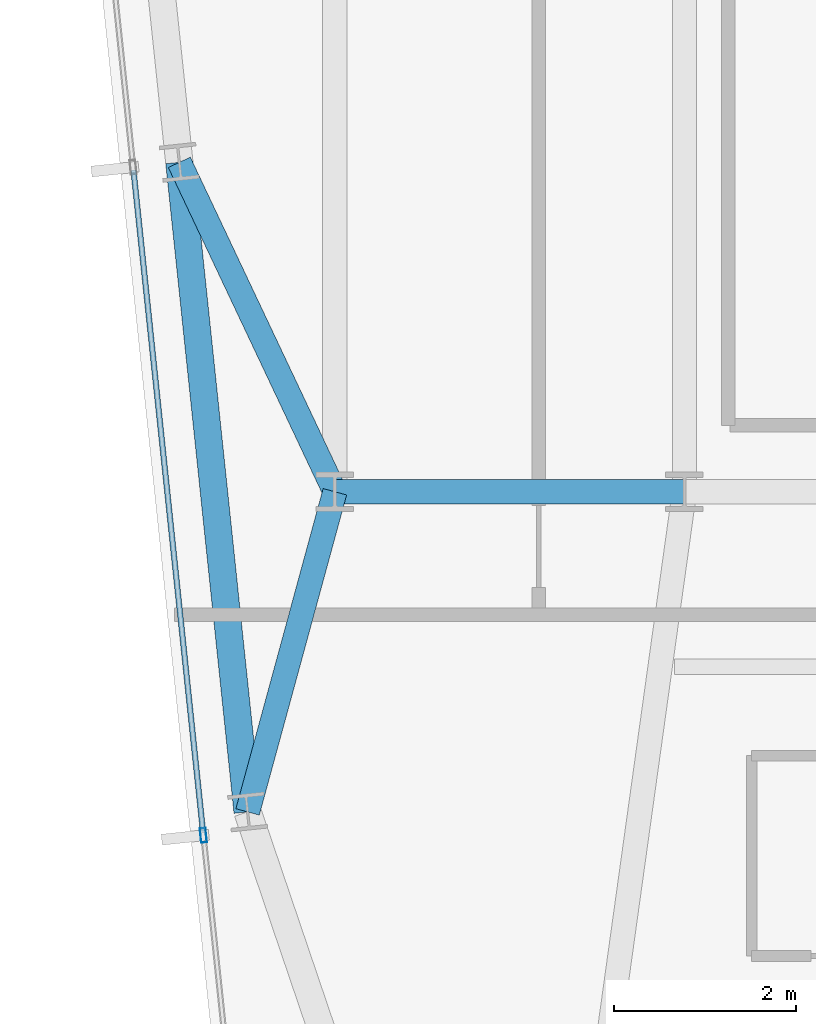
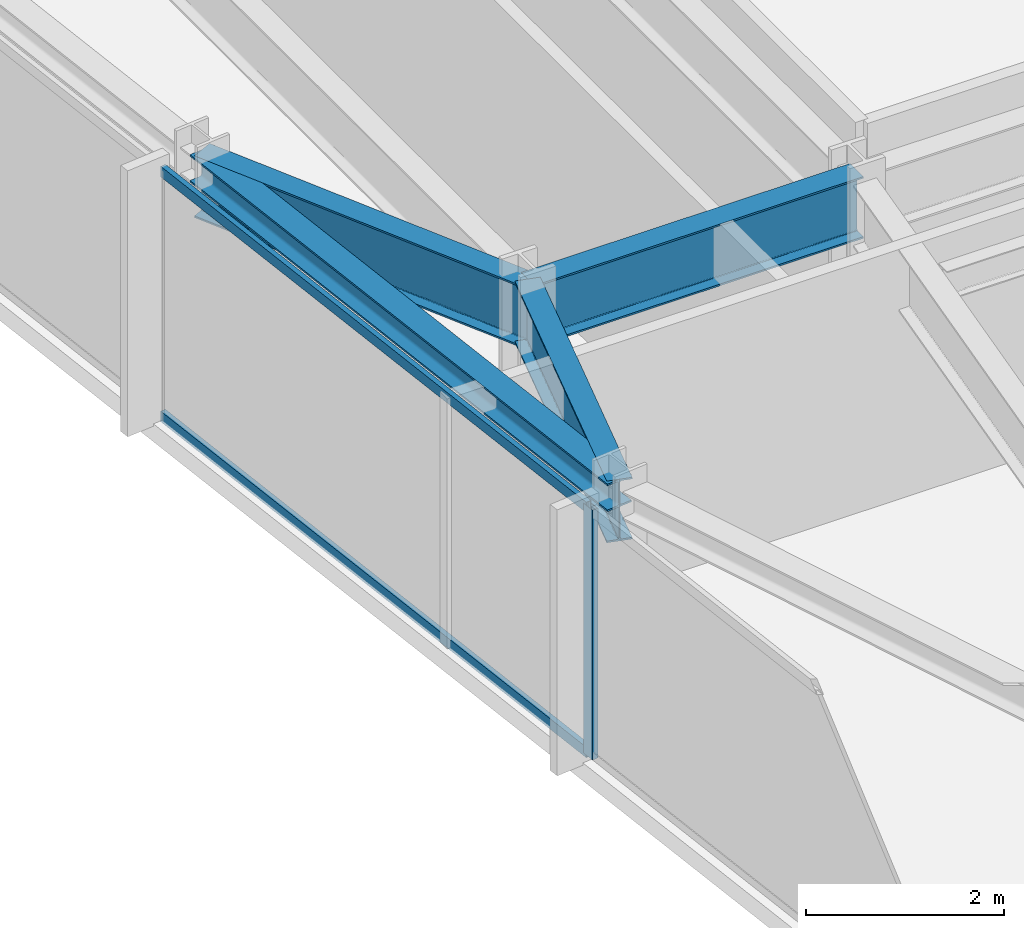
# One storey, part 5 of 33: 4 beams, 3 members, 1 element without a shape of its own.
"""IFC4 building model written with IfcOpenShell, lengths in metres."""

from ifc_helpers import new_model, si_unit, direction, frame, origin, origin_2d, place, context, subcontext, project, spatial, hollow_rectangle, i_section, extrude, material, material_profile, profile_set, type_object, element, aggregate, save


model = new_model("IFC4")

# Units and contexts
model_context = context("Model", 3, precision=1e-05, world=origin(), true_north=direction((0.0, 1.0)))
body_context = subcontext(model_context, "Body", "Model", "MODEL_VIEW")
ifc_project = project(units=[si_unit("LENGTHUNIT", "METRE"), si_unit("AREAUNIT", "SQUARE_METRE"), si_unit("VOLUMEUNIT", "CUBIC_METRE"), si_unit("PLANEANGLEUNIT", "RADIAN"), si_unit("MASSUNIT", "GRAM", prefix="KILO")], contexts=[model_context])

# Site, building, storey
site_placement = place(None, origin())
site = spatial("IfcSite", under=ifc_project, at=site_placement, CompositionType="ELEMENT")
building_placement = place(site_placement, origin())
building = spatial("IfcBuilding", under=site, at=building_placement, Name="Yelkora Congress Tower", CompositionType="ELEMENT")
storey_placement = place(building_placement, frame((0.0, 0.0, 221.0)))
storey = spatial("IfcBuildingStorey", under=building, at=storey_placement, Name="L61", CompositionType="ELEMENT", Elevation=221.0)

# Beams
ifc_material_1 = material(Name="Steel S355J2", Category="steel")
ifc_material_profile_1 = material_profile(ifc_material_1, i_section(OverallWidth=0.26708984375, OverallDepth=0.761962890625, WebThickness=0.014404296875, FlangeThickness=0.021484375, FilletRadius=0.01708984375, at=origin_2d()), Name="IPE 750x173")
ifc_profile_set_1 = profile_set([ifc_material_profile_1], Name="Steel S355J2")
beam_type_1 = type_object("IfcBeamType", Name="BM-GIRD-IPE750", PredefinedType="BEAM", material=ifc_profile_set_1)
beam_1_placement = place(storey_placement, frame((19.199951171875, 25.199951171875, 2.698974609375), z_axis=(1.0, 0.0, 0.0), x_axis=(0.0, 1.0, 0.0)))
element("IfcBeam", 1, at=beam_1_placement, inside=storey, type_object=beam_type_1, Name="L61 Spine Grid D Girder 1", PredefinedType="BEAM", context=body_context, shape_type="SweptSolid", body=[
    extrude(i_section(OverallWidth=0.26708984375, OverallDepth=0.761962890625, WebThickness=0.014404296875, FlangeThickness=0.021484375, FilletRadius=0.01708984375, at=origin_2d()), origin(), (0.0, 0.0, 1.0), 3.840087890625),
])
beam_2_placement = place(storey_placement, frame((18.2412109375, 21.68310546875, 2.698974609375), z_axis=(0.263015394472, 0.964791636713, 0.0), x_axis=(-0.964791636713, 0.263015394472, 0.0)))
element("IfcBeam", 2, at=beam_2_placement, inside=storey, type_object=beam_type_1, Name="L61 Primary Frame Girder W01", PredefinedType="BEAM", context=body_context, shape_type="SweptSolid", body=[
    extrude(i_section(OverallWidth=0.26708984375, OverallDepth=0.761962890625, WebThickness=0.014404296875, FlangeThickness=0.021484375, FilletRadius=0.01708984375, at=origin_2d()), origin(), (0.0, 0.0, 1.0), 3.645263671875),
])
beam_3_placement = place(storey_placement, frame((17.4912109375, 28.81884765625, 2.698974609375), z_axis=(0.426968894221, -0.904266312193, 0.0), x_axis=(0.904266312193, 0.426968894221, 0.0)))
element("IfcBeam", 3, at=beam_3_placement, inside=storey, type_object=beam_type_1, Name="L61 Primary Frame Girder W02", PredefinedType="BEAM", context=body_context, shape_type="SweptSolid", body=[
    extrude(i_section(OverallWidth=0.26708984375, OverallDepth=0.761962890625, WebThickness=0.014404296875, FlangeThickness=0.021484375, FilletRadius=0.01708984375, at=origin_2d()), origin(), (0.0, 0.0, 1.0), 4.001953125),
])
ifc_material_profile_2 = material_profile(ifc_material_1, i_section(OverallWidth=0.300048828125, OverallDepth=0.340087890625, WebThickness=0.011962890625, FlangeThickness=0.021484375, FilletRadius=0.027099609375, at=origin_2d()), Name="HEB 340")
ifc_profile_set_2 = profile_set([ifc_material_profile_2], Name="Steel S355J2")
beam_type_2 = type_object("IfcBeamType", Name="BM-SPAN-HEB340", PredefinedType="SPANDREL", material=ifc_profile_set_2)
beam_4_placement = place(storey_placement, frame((17.4912109375, 28.81884765625, 2.909912109375), z_axis=(0.104528914631, -0.994521847928, 0.0), x_axis=(0.994521847928, 0.104528914631, 0.0)))
element("IfcBeam", 4, at=beam_4_placement, inside=storey, type_object=beam_type_2, Name="L61 Perimeter Beam 1", PredefinedType="SPANDREL", context=body_context, shape_type="SweptSolid", body=[
    extrude(i_section(OverallWidth=0.300048828125, OverallDepth=0.340087890625, WebThickness=0.011962890625, FlangeThickness=0.021484375, FilletRadius=0.027099609375, at=origin_2d()), origin(), (0.0, 0.0, 1.0), 7.175048828125),
])

# Curtain wall, members
ifc_material_2 = material(Name="Anodised aluminium and insulated glass", Category="aluminium")
curtain_wall_type = type_object("IfcCurtainWallType", Name="CW-SYS-B4", PredefinedType="NOTDEFINED", material=ifc_material_2)
curtain_wall_placement = place(storey_placement, origin())
curtain_wall = element("IfcCurtainWall", 5, at=curtain_wall_placement, inside=storey, type_object=curtain_wall_type, Name="L61 Unitised Curtain Wall 5", PredefinedType="NOTDEFINED")
ifc_material_3 = material(Name="Anodised aluminium 6063-T6", Category="aluminium")
ifc_material_profile_3 = material_profile(ifc_material_3, hollow_rectangle(XDim=0.06494140625, YDim=0.159912109375, WallThickness=0.00390625, at=origin_2d()), Name="ALU 65x160x4")
ifc_profile_set_3 = profile_set([ifc_material_profile_3], Name="Anodised aluminium 6063-T6")
member_type_1 = type_object("IfcMemberType", Name="MEM-ML-B4", PredefinedType="MULLION", material=ifc_profile_set_3)
member_1_placement = place(storey_placement, frame((17.75537109375, 21.426025390625, 0.0), z_axis=(0.0, 0.0, 1.0), x_axis=(-0.994522145958, -0.104526079034, 0.0)))
member_1 = element("IfcMember", 6, at=member_1_placement, type_object=member_type_1, Name="CW-B4 mullion 2", PredefinedType="MULLION", context=body_context, shape_type="SweptSolid", body=[
    extrude(hollow_rectangle(XDim=0.06494140625, YDim=0.159912109375, WallThickness=0.00390625, at=origin_2d()), origin(), (0.0, 0.0, 1.0), 3.080078125),
])
ifc_material_profile_4 = material_profile(ifc_material_3, hollow_rectangle(XDim=0.06005859375, YDim=0.1298828125, WallThickness=0.00390625, at=origin_2d()), Name="ALU 60x130x4")
ifc_profile_set_4 = profile_set([ifc_material_profile_4], Name="Anodised aluminium 6063-T6")
member_type_2 = type_object("IfcMemberType", Name="MEM-TR-B4", PredefinedType="USERDEFINED", material=ifc_profile_set_4)
member_2_placement = place(storey_placement, frame((17.751953125, 21.458251953125, 0.030029296875), z_axis=(-0.104528426736, 0.994521899208, 0.0), x_axis=(-0.994521899208, -0.104528426736, 0.0)))
member_2 = element("IfcMember", 7, at=member_2_placement, type_object=member_type_2, Name="CW-B4 transom 2.1", ObjectType="TRANSOM", PredefinedType="USERDEFINED", context=body_context, shape_type="SweptSolid", body=[
    extrude(hollow_rectangle(XDim=0.06005859375, YDim=0.1298828125, WallThickness=0.00390625, at=origin_2d()), origin(), (0.0, 0.0, 1.0), 7.315185546875),
])
member_3_placement = place(storey_placement, frame((17.751953125, 21.458251953125, 3.050048828125), z_axis=(-0.104528426736, 0.994521899208, 0.0), x_axis=(-0.994521899208, -0.104528426736, 0.0)))
member_3 = element("IfcMember", 8, at=member_3_placement, type_object=member_type_2, Name="CW-B4 transom 2.2", ObjectType="TRANSOM", PredefinedType="USERDEFINED", context=body_context, shape_type="SweptSolid", body=[
    extrude(hollow_rectangle(XDim=0.06005859375, YDim=0.1298828125, WallThickness=0.00390625, at=origin_2d()), origin(), (0.0, 0.0, 1.0), 7.315185546875),
])
aggregate(curtain_wall, [member_1, member_2, member_3])

save(model, "model.ifc")
